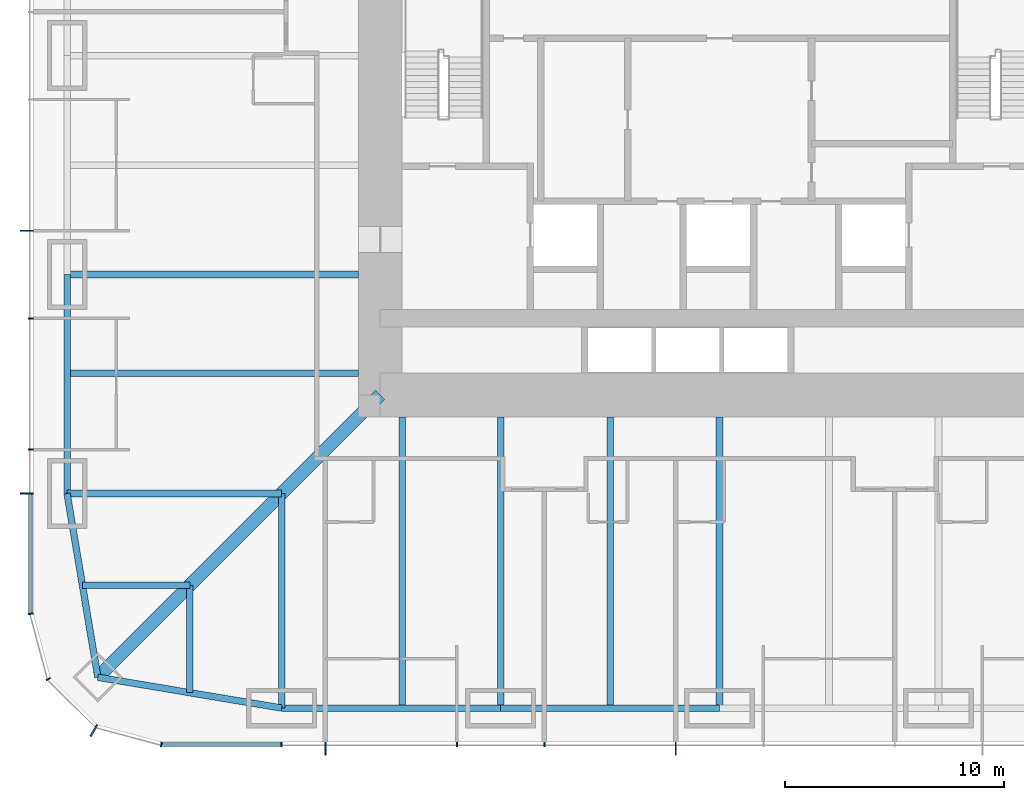
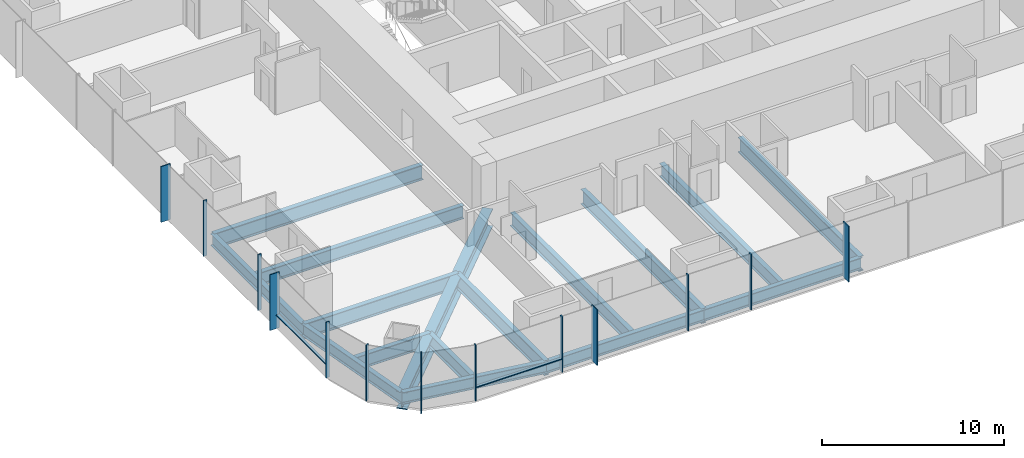
# One storey, part 2 of 16: 16 beams, 15 members, 3 elements without a shape of their own.
"""IFC4 building model written with IfcOpenShell, lengths in metres."""

from ifc_helpers import new_model, si_unit, direction, frame, origin, origin_2d, place, context, subcontext, project, spatial, rectangle, i_section, extrude, material, material_profile, profile_set, type_object, element, aggregate, save


model = new_model("IFC4")

# Units and contexts
model_context = context("Model", 3, precision=1e-05, world=origin(), true_north=direction((0.0, 1.0)))
body_context = subcontext(model_context, "Body", "Model", "MODEL_VIEW")
ifc_project = project(units=[si_unit("LENGTHUNIT", "METRE"), si_unit("AREAUNIT", "SQUARE_METRE"), si_unit("VOLUMEUNIT", "CUBIC_METRE"), si_unit("PLANEANGLEUNIT", "RADIAN"), si_unit("MASSUNIT", "GRAM", prefix="KILO")], contexts=[model_context])

# Site, building, storey
site_placement = place(None, origin())
site = spatial("IfcSite", under=ifc_project, at=site_placement, CompositionType="ELEMENT")
building_placement = place(site_placement, origin())
building = spatial("IfcBuilding", under=site, at=building_placement, Name="Khuree Lantern Residences", CompositionType="ELEMENT")
storey_placement = place(building_placement, frame((0.0, 0.0, 54.75)))
storey = spatial("IfcBuildingStorey", under=building, at=storey_placement, Name="L13", CompositionType="ELEMENT", Elevation=54.75)

# Beams
ifc_material_1 = material(Name="Steel S355", Category="steel")
ifc_material_profile_1 = material_profile(ifc_material_1, i_section(OverallWidth=0.300048828125, OverallDepth=0.889892578125, WebThickness=0.01611328125, FlangeThickness=0.030029296875, FilletRadius=0.030029296875, at=origin_2d()), Name="HE 900 A")
ifc_profile_set_1 = profile_set([ifc_material_profile_1], Name="Steel S355")
beam_type_1 = type_object("IfcBeamType", Name="B-13 SECONDARY BEAM HE 900 A", PredefinedType="BEAM", material=ifc_profile_set_1)
for number, where, z_axis, x_axis, name in (
    (1, (-5.0, -29.800048828125, -0.695068359375), (0.0, 1.0, 0.0), (-1.0, 0.0, 0.0), "Secondary beam S4"),
    (2, (-14.5, -29.800048828125, -0.695068359375), (0.0, 1.0, 0.0), (-1.0, 0.0, 0.0), "Secondary beam S5"),
):
    element("IfcBeam", number, at=place(storey_placement, frame(where, z_axis=z_axis, x_axis=x_axis)), inside=storey, type_object=beam_type_1, Name=name, PredefinedType="BEAM", context=body_context, shape_type="SweptSolid", body=[
        extrude(i_section(OverallWidth=0.300048828125, OverallDepth=0.889892578125, WebThickness=0.01611328125, FlangeThickness=0.030029296875, FilletRadius=0.030029296875, at=origin_2d()), origin(), (0.0, 0.0, 1.0), 13.300048828125),
    ])
for number, where, z_axis, x_axis, name in (
    (3, (-24.197021484375, -29.09716796875, -0.695068359375), (0.0, 1.0, 0.0), (-1.0, 0.0, 0.0), "Secondary beam S6"),
    (4, (-29.09716796875, -24.197021484375, -0.695068359375), (1.0, 0.0, 0.0), (0.0, 1.0, 0.0), "Secondary beam W1"),
):
    element("IfcBeam", number, at=place(storey_placement, frame(where, z_axis=z_axis, x_axis=x_axis)), inside=storey, type_object=beam_type_1, Name=name, PredefinedType="BEAM", context=body_context, shape_type="SweptSolid", body=[
        extrude(i_section(OverallWidth=0.300048828125, OverallDepth=0.889892578125, WebThickness=0.01611328125, FlangeThickness=0.030029296875, FilletRadius=0.030029296875, at=origin_2d()), origin(), (0.0, 0.0, 1.0), 4.900146484375),
    ])
beam_1_placement = place(storey_placement, frame((-29.800048828125, -14.5, -0.695068359375), z_axis=(1.0, 0.0, 0.0), x_axis=(0.0, 1.0, 0.0)))
element("IfcBeam", 5, at=beam_1_placement, inside=storey, type_object=beam_type_1, Name="Secondary beam W2", PredefinedType="BEAM", context=body_context, shape_type="SweptSolid", body=[
    extrude(i_section(OverallWidth=0.300048828125, OverallDepth=0.889892578125, WebThickness=0.01611328125, FlangeThickness=0.030029296875, FilletRadius=0.030029296875, at=origin_2d()), origin(), (0.0, 0.0, 1.0), 13.300048828125),
])
ifc_material_profile_2 = material_profile(ifc_material_1, i_section(OverallWidth=0.300048828125, OverallDepth=0.7900390625, WebThickness=0.014892578125, FlangeThickness=0.028076171875, FilletRadius=0.030029296875, at=origin_2d()), Name="HE 800 A")
ifc_profile_set_2 = profile_set([ifc_material_profile_2], Name="Steel S355")
beam_type_2 = type_object("IfcBeamType", Name="E-13 SPANDREL BEAM HE 800 A", PredefinedType="SPANDREL", material=ifc_profile_set_2)
for number, where, z_axis, x_axis, name in (
    (6, (0.0, -29.800048828125, -0.64501953125), (-1.0, 0.0, 0.0), (0.0, -1.0, 0.0), "Spandrel beam S4"),
    (7, (-10.0, -29.800048828125, -0.64501953125), (-1.0, 0.0, 0.0), (0.0, -1.0, 0.0), "Spandrel beam S5"),
):
    element("IfcBeam", number, at=place(storey_placement, frame(where, z_axis=z_axis, x_axis=x_axis)), inside=storey, type_object=beam_type_2, Name=name, PredefinedType="SPANDREL", context=body_context, shape_type="SweptSolid", body=[
        extrude(i_section(OverallWidth=0.300048828125, OverallDepth=0.7900390625, WebThickness=0.014892578125, FlangeThickness=0.028076171875, FilletRadius=0.030029296875, at=origin_2d()), origin(), (0.0, 0.0, 1.0), 10.0),
    ])
for number, where, z_axis, x_axis, name in (
    (8, (-20.0, -29.800048828125, -0.64501953125), (-0.986260251158, 0.165199022349, 0.0), (-0.165199022349, -0.986260251158, 0.0), "Spandrel beam S6"),
    (9, (-28.39404296875, -28.39404296875, -0.64501953125), (-0.165199022349, 0.986260251158, 0.0), (-0.986260251158, -0.165199022349, 0.0), "Spandrel beam W1"),
):
    element("IfcBeam", number, at=place(storey_placement, frame(where, z_axis=z_axis, x_axis=x_axis)), inside=storey, type_object=beam_type_2, Name=name, PredefinedType="SPANDREL", context=body_context, shape_type="SweptSolid", body=[
        extrude(i_section(OverallWidth=0.300048828125, OverallDepth=0.7900390625, WebThickness=0.014892578125, FlangeThickness=0.028076171875, FilletRadius=0.030029296875, at=origin_2d()), origin(), (0.0, 0.0, 1.0), 8.510986328125),
    ])
beam_2_placement = place(storey_placement, frame((-29.800048828125, -20.0, -0.64501953125), z_axis=(0.0, 1.0, 0.0), x_axis=(-1.0, 0.0, 0.0)))
element("IfcBeam", 10, at=beam_2_placement, inside=storey, type_object=beam_type_2, Name="Spandrel beam W2", PredefinedType="SPANDREL", context=body_context, shape_type="SweptSolid", body=[
    extrude(i_section(OverallWidth=0.300048828125, OverallDepth=0.7900390625, WebThickness=0.014892578125, FlangeThickness=0.028076171875, FilletRadius=0.030029296875, at=origin_2d()), origin(), (0.0, 0.0, 1.0), 10.0),
])

# Curtain wall, members
ifc_material_2 = material(Name="Bronze anodised aluminium", Category="aluminium")
curtain_wall_type_1 = type_object("IfcCurtainWallType", Name="CW-T1 TOWER FACE CURTAIN WALL", PredefinedType="USERDEFINED", material=ifc_material_2)
curtain_wall_1_placement = place(storey_placement, origin())
curtain_wall_1 = element("IfcCurtainWall", 11, at=curtain_wall_1_placement, inside=storey, type_object=curtain_wall_type_1, Name="L13 WEST FACE CURTAIN WALL", ObjectType="Stick-built curtain wall", PredefinedType="USERDEFINED")
ifc_material_profile_3 = material_profile(ifc_material_2, rectangle(XDim=0.06494140625, YDim=0.60009765625, at=origin_2d()), Name="F1 65X600")
ifc_profile_set_3 = profile_set([ifc_material_profile_3], Name="Bronze anodised aluminium")
member_type_1 = type_object("IfcMemberType", Name="F1 BRONZE FIN MULLION TOWER 65X600", PredefinedType="MULLION", material=ifc_profile_set_3)
member_1_placement = place(storey_placement, frame((-31.64990234375, -8.0, 0.0), z_axis=(0.0, 0.0, 1.0), x_axis=(0.0, -1.0, 0.0)))
member_1 = element("IfcMember", 12, at=member_1_placement, type_object=member_type_1, Name="L13 WEST FACE FIN MULLION 39", PredefinedType="MULLION", context=body_context, shape_type="SweptSolid", body=[
    extrude(rectangle(XDim=0.06494140625, YDim=0.60009765625, at=origin_2d()), origin(), (0.0, 0.0, 1.0), 3.75),
])
member_2_placement = place(storey_placement, frame((-31.64990234375, -20.0, 0.0), z_axis=(0.0, 0.0, 1.0), x_axis=(0.0, -1.0, 0.0)))
member_2 = element("IfcMember", 13, at=member_2_placement, type_object=member_type_1, Name="L13 WEST FACE FIN MULLION 42", PredefinedType="MULLION", context=body_context, shape_type="SweptSolid", body=[
    extrude(rectangle(XDim=0.06494140625, YDim=0.60009765625, at=origin_2d()), origin(), (0.0, 0.0, 1.0), 3.75),
])

# Curtain wall, member
curtain_wall_type_2 = type_object("IfcCurtainWallType", Name="CW-T2 TOWER CORNER CURTAIN WALL", PredefinedType="USERDEFINED", material=ifc_material_2)
curtain_wall_2_placement = place(storey_placement, origin())
curtain_wall_2 = element("IfcCurtainWall", 14, at=curtain_wall_2_placement, inside=storey, type_object=curtain_wall_type_2, Name="L13 SOUTH-WEST CORNER CURTAIN WALL", ObjectType="Faceted corner curtain wall", PredefinedType="USERDEFINED")
member_3_placement = place(storey_placement, frame((-28.574951171875, -30.826171875, 0.0), z_axis=(0.0, 0.0, 1.0), x_axis=(0.86602537092, -0.500000056923, 0.0)))
member_3 = element("IfcMember", 15, at=member_3_placement, type_object=member_type_1, Name="L13 SOUTH-WEST CORNER FIN MULLION 45", PredefinedType="MULLION", context=body_context, shape_type="SweptSolid", body=[
    extrude(rectangle(XDim=0.06494140625, YDim=0.60009765625, at=origin_2d()), origin(), (0.0, 0.0, 1.0), 3.75),
])

# Curtain wall, members
curtain_wall_3_placement = place(storey_placement, origin())
curtain_wall_3 = element("IfcCurtainWall", 16, at=curtain_wall_3_placement, inside=storey, type_object=curtain_wall_type_1, Name="L13 SOUTH FACE CURTAIN WALL", ObjectType="Stick-built curtain wall", PredefinedType="USERDEFINED")
member_4_placement = place(storey_placement, frame((-18.0, -31.64990234375, 0.0), z_axis=(0.0, 0.0, 1.0), x_axis=(1.0, 0.0, 0.0)))
member_4 = element("IfcMember", 17, at=member_4_placement, type_object=member_type_1, Name="L13 SOUTH FACE FIN MULLION 48", PredefinedType="MULLION", context=body_context, shape_type="SweptSolid", body=[
    extrude(rectangle(XDim=0.06494140625, YDim=0.60009765625, at=origin_2d()), origin(), (0.0, 0.0, 1.0), 3.75),
])
member_5_placement = place(storey_placement, frame((-2.0, -31.64990234375, 0.0), z_axis=(0.0, 0.0, 1.0), x_axis=(1.0, 0.0, 0.0)))
member_5 = element("IfcMember", 18, at=member_5_placement, type_object=member_type_1, Name="L13 SOUTH FACE FIN MULLION 51", PredefinedType="MULLION", context=body_context, shape_type="SweptSolid", body=[
    extrude(rectangle(XDim=0.06494140625, YDim=0.60009765625, at=origin_2d()), origin(), (0.0, 0.0, 1.0), 3.75),
])

# Beams
ifc_material_profile_4 = material_profile(ifc_material_1, i_section(OverallWidth=0.302001953125, OverallDepth=1.008056640625, WebThickness=0.02099609375, FlangeThickness=0.0400390625, FilletRadius=0.030029296875, at=origin_2d()), Name="HE 1000 M")
ifc_profile_set_4 = profile_set([ifc_material_profile_4], Name="Steel S355")
beam_type_3 = type_object("IfcBeamType", Name="G-13 GIRDER HE 1000 M", PredefinedType="BEAM", material=ifc_profile_set_4)
for number, where, z_axis, x_axis, name in (
    (19, (0.0, -29.800048828125, -0.75390625), (0.0, 1.0, 0.0), (-1.0, 0.0, 0.0), "Girder S3"),
    (20, (-10.0, -29.800048828125, -0.75390625), (0.0, 1.0, 0.0), (-1.0, 0.0, 0.0), "Girder S4"),
):
    element("IfcBeam", number, at=place(storey_placement, frame(where, z_axis=z_axis, x_axis=x_axis)), inside=storey, type_object=beam_type_3, Name=name, PredefinedType="BEAM", context=body_context, shape_type="SweptSolid", body=[
        extrude(i_section(OverallWidth=0.302001953125, OverallDepth=1.008056640625, WebThickness=0.02099609375, FlangeThickness=0.0400390625, FilletRadius=0.030029296875, at=origin_2d()), origin(), (0.0, 0.0, 1.0), 13.300048828125),
    ])
for number, where, z_axis, x_axis, name in (
    (21, (-20.0, -29.800048828125, -0.75390625), (0.0, 1.0, 0.0), (-1.0, 0.0, 0.0), "Girder S5"),
    (22, (-29.800048828125, -20.0, -0.75390625), (1.0, 0.0, 0.0), (0.0, 1.0, 0.0), "Girder W1"),
):
    element("IfcBeam", number, at=place(storey_placement, frame(where, z_axis=z_axis, x_axis=x_axis)), inside=storey, type_object=beam_type_3, Name=name, PredefinedType="BEAM", context=body_context, shape_type="SweptSolid", body=[
        extrude(i_section(OverallWidth=0.302001953125, OverallDepth=1.008056640625, WebThickness=0.02099609375, FlangeThickness=0.0400390625, FilletRadius=0.030029296875, at=origin_2d()), origin(), (0.0, 0.0, 1.0), 9.800048828125),
    ])
beam_3_placement = place(storey_placement, frame((-29.800048828125, -10.0, -0.75390625), z_axis=(1.0, 0.0, 0.0), x_axis=(0.0, 1.0, 0.0)))
element("IfcBeam", 23, at=beam_3_placement, inside=storey, type_object=beam_type_3, Name="Girder W2", PredefinedType="BEAM", context=body_context, shape_type="SweptSolid", body=[
    extrude(i_section(OverallWidth=0.302001953125, OverallDepth=1.008056640625, WebThickness=0.02099609375, FlangeThickness=0.0400390625, FilletRadius=0.030029296875, at=origin_2d()), origin(), (0.0, 0.0, 1.0), 13.300048828125),
])
ifc_material_profile_5 = material_profile(ifc_material_1, i_section(OverallWidth=0.60009765625, OverallDepth=1.199951171875, WebThickness=0.030029296875, FlangeThickness=0.06005859375, at=origin_2d()), Name="WELDED I 1200X600X30X60")
ifc_profile_set_5 = profile_set([ifc_material_profile_5], Name="Steel S355")
beam_type_4 = type_object("IfcBeamType", Name="GD-13 CORNER GIRDER WELDED I 1200X600X30X60", PredefinedType="BEAM", material=ifc_profile_set_5)
beam_4_placement = place(storey_placement, frame((-28.39404296875, -28.39404296875, -0.85009765625), z_axis=(0.707106781187, 0.707106781187, 0.0), x_axis=(-0.707106781187, 0.707106781187, 0.0)))
element("IfcBeam", 24, at=beam_4_placement, inside=storey, type_object=beam_type_4, Name="Corner girder SW", PredefinedType="BEAM", context=body_context, shape_type="SweptSolid", body=[
    extrude(i_section(OverallWidth=0.60009765625, OverallDepth=1.199951171875, WebThickness=0.030029296875, FlangeThickness=0.06005859375, at=origin_2d()), origin(), (0.0, 0.0, 1.0), 18.23486328125),
])

# Member
ifc_material_profile_6 = material_profile(ifc_material_2, rectangle(XDim=0.06494140625, YDim=0.219970703125, at=origin_2d()), Name="M1 65X220")
ifc_profile_set_6 = profile_set([ifc_material_profile_6], Name="Bronze anodised aluminium")
member_type_2 = type_object("IfcMemberType", Name="M1 BRONZE MULLION TOWER 65X220", PredefinedType="MULLION", material=ifc_profile_set_6)
member_6_placement = place(storey_placement, frame((-31.4599609375, -12.0, 0.0), z_axis=(0.0, 0.0, 1.0), x_axis=(0.0, -1.0, 0.0)))
member_6 = element("IfcMember", 25, at=member_6_placement, type_object=member_type_2, Name="L13 WEST FACE MULLION 40", PredefinedType="MULLION", context=body_context, shape_type="SweptSolid", body=[
    extrude(rectangle(XDim=0.06494140625, YDim=0.219970703125, at=origin_2d()), origin(), (0.0, 0.0, 1.0), 3.75),
])

member_7_placement = place(storey_placement, frame((-31.4599609375, -18.0, 0.0), z_axis=(0.0, 0.0, 1.0), x_axis=(0.0, -1.0, 0.0)))
member_7 = element("IfcMember", 26, at=member_7_placement, type_object=member_type_2, Name="L13 WEST FACE MULLION 41", PredefinedType="MULLION", context=body_context, shape_type="SweptSolid", body=[
    extrude(rectangle(XDim=0.06494140625, YDim=0.219970703125, at=origin_2d()), origin(), (0.0, 0.0, 1.0), 3.75),
])

member_8_placement = place(storey_placement, frame((-31.461669921875, -25.494873046875, 0.0), z_axis=(0.0, 0.0, 1.0), x_axis=(0.130526257387, -0.991444852794, 0.0)))
member_8 = element("IfcMember", 27, at=member_8_placement, type_object=member_type_2, Name="L13 SOUTH-WEST CORNER MULLION 43", PredefinedType="MULLION", context=body_context, shape_type="SweptSolid", body=[
    extrude(rectangle(XDim=0.06494140625, YDim=0.219970703125, at=origin_2d()), origin(), (0.0, 0.0, 1.0), 3.75),
])

member_9_placement = place(storey_placement, frame((-30.66162109375, -28.47998046875, 0.0), z_axis=(0.0, 0.0, 1.0), x_axis=(0.500000056923, -0.86602537092, 0.0)))
member_9 = element("IfcMember", 28, at=member_9_placement, type_object=member_type_2, Name="L13 SOUTH-WEST CORNER MULLION 44", PredefinedType="MULLION", context=body_context, shape_type="SweptSolid", body=[
    extrude(rectangle(XDim=0.06494140625, YDim=0.219970703125, at=origin_2d()), origin(), (0.0, 0.0, 1.0), 3.75),
])

aggregate(curtain_wall_2, [member_8, member_9, member_3])

member_10_placement = place(storey_placement, frame((-25.494873046875, -31.461669921875, 0.0), z_axis=(0.0, 0.0, 1.0), x_axis=(0.991444852794, -0.130526257387, 0.0)))
member_10 = element("IfcMember", 29, at=member_10_placement, type_object=member_type_2, Name="L13 SOUTH FACE MULLION 46", PredefinedType="MULLION", context=body_context, shape_type="SweptSolid", body=[
    extrude(rectangle(XDim=0.06494140625, YDim=0.219970703125, at=origin_2d()), origin(), (0.0, 0.0, 1.0), 3.75),
])

member_11_placement = place(storey_placement, frame((-20.0, -31.4599609375, 0.0), z_axis=(0.0, 0.0, 1.0), x_axis=(1.0, 0.0, 0.0)))
member_11 = element("IfcMember", 30, at=member_11_placement, type_object=member_type_2, Name="L13 SOUTH FACE MULLION 47", PredefinedType="MULLION", context=body_context, shape_type="SweptSolid", body=[
    extrude(rectangle(XDim=0.06494140625, YDim=0.219970703125, at=origin_2d()), origin(), (0.0, 0.0, 1.0), 3.75),
])

member_12_placement = place(storey_placement, frame((-12.0, -31.4599609375, 0.0), z_axis=(0.0, 0.0, 1.0), x_axis=(1.0, 0.0, 0.0)))
member_12 = element("IfcMember", 31, at=member_12_placement, type_object=member_type_2, Name="L13 SOUTH FACE MULLION 49", PredefinedType="MULLION", context=body_context, shape_type="SweptSolid", body=[
    extrude(rectangle(XDim=0.06494140625, YDim=0.219970703125, at=origin_2d()), origin(), (0.0, 0.0, 1.0), 3.75),
])

member_13_placement = place(storey_placement, frame((-8.0, -31.4599609375, 0.0), z_axis=(0.0, 0.0, 1.0), x_axis=(1.0, 0.0, 0.0)))
member_13 = element("IfcMember", 32, at=member_13_placement, type_object=member_type_2, Name="L13 SOUTH FACE MULLION 50", PredefinedType="MULLION", context=body_context, shape_type="SweptSolid", body=[
    extrude(rectangle(XDim=0.06494140625, YDim=0.219970703125, at=origin_2d()), origin(), (0.0, 0.0, 1.0), 3.75),
])

ifc_material_profile_7 = material_profile(ifc_material_2, rectangle(XDim=0.179931640625, YDim=0.06494140625, at=origin_2d()), Name="T1 180X65")
ifc_profile_set_7 = profile_set([ifc_material_profile_7], Name="Bronze anodised aluminium")
member_type_3 = type_object("IfcMemberType", Name="TRANSOM T1 TOWER 180X65", PredefinedType="USERDEFINED", material=ifc_profile_set_7)
member_14_placement = place(storey_placement, frame((-31.469970703125, -20.032470703125, 0.89990234375), z_axis=(0.0, -1.0, 0.0), x_axis=(1.0, 0.0, 0.0)))
member_14 = element("IfcMember", 33, at=member_14_placement, type_object=member_type_3, Name="L13 WEST FACE TRANSOM 42.1", ObjectType="Transom", PredefinedType="USERDEFINED", context=body_context, shape_type="SweptSolid", body=[
    extrude(rectangle(XDim=0.179931640625, YDim=0.06494140625, at=origin_2d()), origin(), (0.0, 0.0, 1.0), 5.4189453125),
])

aggregate(curtain_wall_1, [member_1, member_6, member_7, member_2, member_14])

member_15_placement = place(storey_placement, frame((-25.451416015625, -31.469970703125, 0.89990234375), z_axis=(1.0, 0.0, 0.0), x_axis=(0.0, 1.0, 0.0)))
member_15 = element("IfcMember", 34, at=member_15_placement, type_object=member_type_3, Name="L13 SOUTH FACE TRANSOM 46.1", ObjectType="Transom", PredefinedType="USERDEFINED", context=body_context, shape_type="SweptSolid", body=[
    extrude(rectangle(XDim=0.179931640625, YDim=0.06494140625, at=origin_2d()), origin(), (0.0, 0.0, 1.0), 5.4189453125),
])

aggregate(curtain_wall_3, [member_10, member_11, member_4, member_12, member_13, member_5, member_15])

save(model, "model.ifc")
